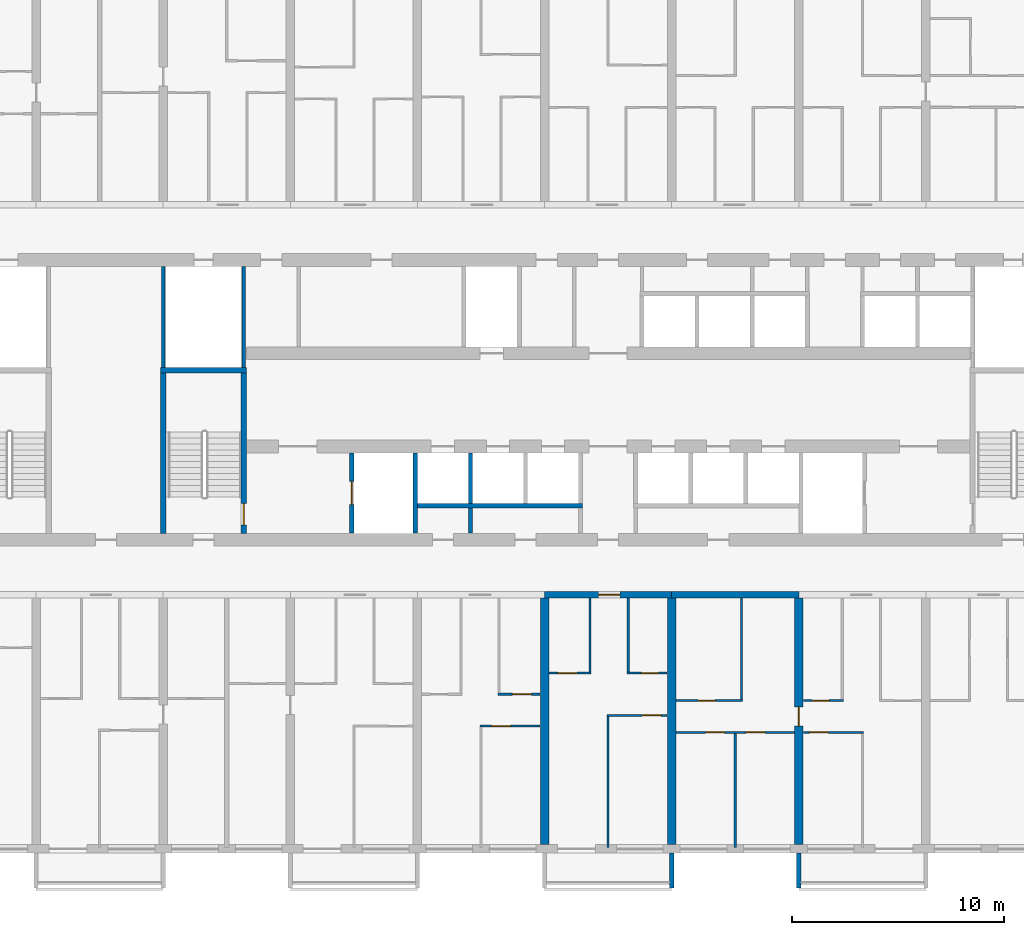
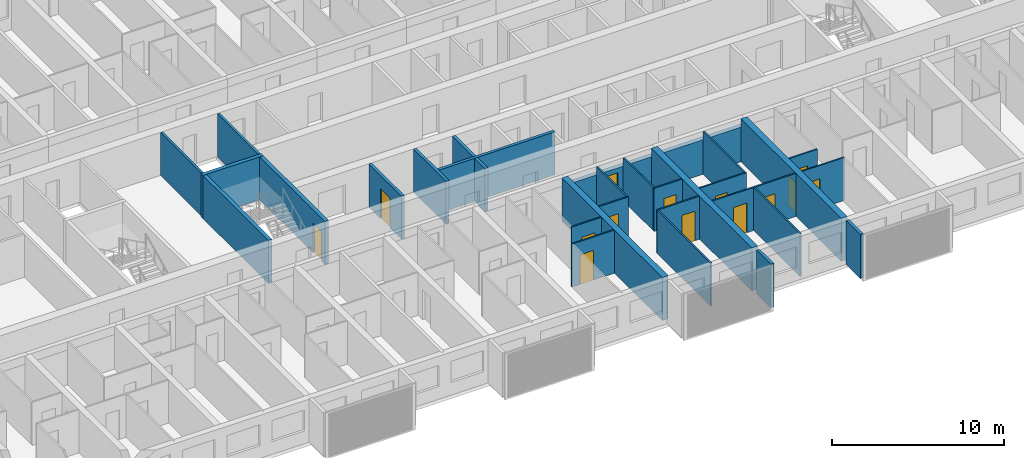
# One storey, part 6 of 23: 31 walls, 14 doors, 14 openings.
"""IFC4 building model written with IfcOpenShell, lengths in metres."""

from ifc_helpers import new_model, si_unit, direction, frame, frame_2d, origin, place, context, subcontext, project, spatial, polyline, rectangle, outline, extrude, source, transform, mapped, material, layer, layer_set, type_object, element, fill, save


model = new_model("IFC4")

# Units and contexts
model_context = context("Model", 3, precision=1e-05, world=origin(), true_north=direction((0.0, 1.0)))
body_context = subcontext(model_context, "Body", "Model", "MODEL_VIEW")
ifc_project = project(units=[si_unit("LENGTHUNIT", "METRE"), si_unit("AREAUNIT", "SQUARE_METRE"), si_unit("VOLUMEUNIT", "CUBIC_METRE"), si_unit("PLANEANGLEUNIT", "RADIAN"), si_unit("MASSUNIT", "GRAM", prefix="KILO")], contexts=[model_context])

# Site, building, storey
site_placement = place(None, origin())
site = spatial("IfcSite", under=ifc_project, at=site_placement, CompositionType="ELEMENT")
building_placement = place(site_placement, origin())
building = spatial("IfcBuilding", under=site, at=building_placement, Name="Poui Terraces", CompositionType="ELEMENT")
storey_placement = place(building_placement, frame((0.0, 0.0, 23.39990234375)))
storey = spatial("IfcBuildingStorey", under=building, at=storey_placement, Name="L05", CompositionType="ELEMENT", Elevation=23.39990234375)

# Wall, opening, door
ifc_material_1 = material(Name="Concrete 80 MPa", Category="concrete")
ifc_layer_1 = layer(ifc_material_1, 0.300048828125)
ifc_layer_set_1 = layer_set([ifc_layer_1], Name="Concrete 80 MPa")
wall_type_1 = type_object("IfcWallType", Name="CORRIDOR WALL 300 80MPa", PredefinedType="SHEAR", material=ifc_layer_set_1)
wall_1_placement = place(storey_placement, frame((48.0, 12.0, 0.0), z_axis=(0.0, 0.0, 1.0), x_axis=(1.0, 0.0, 0.0)))
wall_1 = element("IfcWall", 1, at=wall_1_placement, inside=storey, type_object=wall_type_1, Name="CORRIDOR WALL LINE B BAY 9", PredefinedType="SHEAR", context=body_context, shape_type="SweptSolid", body=[
    extrude(rectangle(XDim=6.0, YDim=0.300048828125, at=frame_2d((3.0, 0.0))), origin(), (0.0, 0.0, 1.0), 2.4501953125),
])
opening_1_placement = place(wall_1_placement, frame((2.550048828125, 0.0, 0.0)))
opening_1 = element("IfcOpeningElement", 2, at=opening_1_placement, cuts=wall_1, Name="Opening FD30S", PredefinedType="OPENING", context=body_context, shape_type="SweptSolid", body=[
    extrude(rectangle(XDim=1.0, YDim=2.10009765625, at=frame_2d((0.5, 1.050048828125))), frame((0.0, 0.16015625, 0.0), z_axis=(0.0, -1.0, 0.0), x_axis=(1.0, 0.0, 0.0)), (0.0, 0.0, 1.0), 0.320068359375),
])
ifc_material_2 = material(Name="Steel fire door", Category="steel")
door_type_1 = type_object("IfcDoorType", Name="FLAT ENTRANCE DOOR 1000 X 2100", OperationType="NOTDEFINED", PredefinedType="DOOR", material=ifc_material_2)
door_1_placement = place(opening_1_placement, frame((1.0, 0.0, 0.0), z_axis=(0.0, 0.0, 1.0), x_axis=(-1.0, 0.0, 0.0)))
door_1 = element("IfcDoor", 3, at=door_1_placement, inside=storey, type_object=door_type_1, Name="FLAT ENTRANCE DOOR 122", OperationType="SINGLE_SWING_LEFT", OverallHeight=2.10009765625, OverallWidth=1.0, PredefinedType="DOOR", context=body_context, shape_type="SweptSolid", body=[
    extrude(rectangle(XDim=1.0, YDim=2.10009765625, at=frame_2d((0.5, 1.050048828125))), frame((0.0, 0.02490234375, 0.0), z_axis=(0.0, -1.0, 0.0), x_axis=(1.0, 0.0, 0.0)), (0.0, 0.0, 1.0), 0.050048828125),
])
fill(opening_1, door_1)

# Walls
wall_2_placement = place(storey_placement, frame((54.0, 12.0, 0.0), z_axis=(0.0, 0.0, 1.0), x_axis=(1.0, 0.0, 0.0)))
element("IfcWall", 4, at=wall_2_placement, inside=storey, type_object=wall_type_1, Name="CORRIDOR WALL LINE B BAY 10", PredefinedType="SHEAR", context=body_context, shape_type="SweptSolid", body=[
    extrude(rectangle(XDim=6.0, YDim=0.300048828125, at=frame_2d((3.0, 0.0))), origin(), (0.0, 0.0, 1.0), 2.4501953125),
])
ifc_layer_2 = layer(ifc_material_1, 0.39990234375)
ifc_layer_set_2 = layer_set([ifc_layer_2], Name="Concrete 80 MPa")
wall_type_2 = type_object("IfcWallType", Name="CROSS WALL 400 80MPa", PredefinedType="SHEAR", material=ifc_layer_set_2)
for number, where, z_axis, x_axis, name in (
    (5, (48.0, 0.199951171875, 0.0), (0.0, 0.0, 1.0), (0.0, 1.0, 0.0), "CROSS WALL LINE 9 SOUTH"),
    (6, (54.0, 0.199951171875, 0.0), (0.0, 0.0, 1.0), (0.0, 1.0, 0.0), "CROSS WALL LINE 10 SOUTH"),
):
    element("IfcWall", number, at=place(storey_placement, frame(where, z_axis=z_axis, x_axis=x_axis)), inside=storey, type_object=wall_type_2, Name=name, PredefinedType="SHEAR", context=body_context, shape_type="SweptSolid", body=[
        extrude(rectangle(XDim=11.650146484375, YDim=0.39990234375, at=frame_2d((5.8251953125, 0.0))), origin(), (0.0, 0.0, 1.0), 3.050048828125),
    ])

# Wall, opening, door
wall_3_placement = place(storey_placement, frame((60.0, 0.199951171875, 0.0), z_axis=(0.0, 0.0, 1.0), x_axis=(0.0, 1.0, 0.0)))
wall_3 = element("IfcWall", 7, at=wall_3_placement, inside=storey, type_object=wall_type_2, Name="CROSS WALL LINE 11 SOUTH", PredefinedType="SHEAR", context=body_context, shape_type="SweptSolid", body=[
    extrude(rectangle(XDim=11.650146484375, YDim=0.39990234375, at=frame_2d((5.8251953125, 0.0))), origin(), (0.0, 0.0, 1.0), 3.050048828125),
])
opening_2_placement = place(wall_3_placement, frame((5.60009765625, 0.0, 0.0)))
opening_2 = element("IfcOpeningElement", 8, at=opening_2_placement, cuts=wall_3, Name="Opening D90", PredefinedType="OPENING", context=body_context, shape_type="SweptSolid", body=[
    extrude(rectangle(XDim=0.89990234375, YDim=2.10009765625, at=frame_2d((0.449951171875, 1.050048828125))), frame((0.0, 0.2099609375, 0.0), z_axis=(0.0, -1.0, 0.0), x_axis=(1.0, 0.0, 0.0)), (0.0, 0.0, 1.0), 0.419921875),
])
ifc_material_3 = material(Name="Solid core timber door", Category="wood")
door_type_2 = type_object("IfcDoorType", Name="INTERNAL DOOR 900 X 2100", OperationType="NOTDEFINED", PredefinedType="DOOR", material=ifc_material_3)
door_2_placement = place(opening_2_placement, frame((0.89990234375, 0.0, 0.0), z_axis=(0.0, 0.0, 1.0), x_axis=(-1.0, 0.0, 0.0)))
door_2 = element("IfcDoor", 9, at=door_2_placement, inside=storey, type_object=door_type_2, Name="INTERNAL DOOR 128", OperationType="SINGLE_SWING_LEFT", OverallHeight=2.10009765625, OverallWidth=0.89990234375, PredefinedType="DOOR", context=body_context, shape_type="SweptSolid", body=[
    extrude(rectangle(XDim=0.89990234375, YDim=2.10009765625, at=frame_2d((0.449951171875, 1.050048828125))), frame((0.0, 0.02490234375, 0.0), z_axis=(0.0, -1.0, 0.0), x_axis=(1.0, 0.0, 0.0)), (0.0, 0.0, 1.0), 0.050048828125),
])
fill(opening_2, door_2)

# Wall, openings, doors
ifc_material_4 = material(Name="Plasterboard partition")
ifc_layer_3 = layer(ifc_material_4, 0.10009765625)
ifc_layer_set_3 = layer_set([ifc_layer_3], Name="Plasterboard partition")
wall_type_3 = type_object("IfcWallType", Name="FLAT PARTITION 100", PredefinedType="PARTITIONING", material=ifc_layer_set_3)
wall_4_placement = place(storey_placement, frame((54.2099609375, 5.5, 0.0), z_axis=(0.0, 0.0, 1.0), x_axis=(1.0, 0.0, 0.0)))
wall_4 = element("IfcWall", 10, at=wall_4_placement, inside=storey, type_object=wall_type_3, Name="FLAT PARTITION 100", PredefinedType="PARTITIONING", context=body_context, shape_type="SweptSolid", body=[
    extrude(rectangle(XDim=5.580078125, YDim=0.10009765625, at=frame_2d((2.7900390625, 0.0))), origin(), (0.0, 0.0, 1.0), 3.050048828125),
])
opening_3_placement = place(wall_4_placement, frame((1.389892578125, 0.0, 0.0)))
opening_3 = element("IfcOpeningElement", 11, at=opening_3_placement, cuts=wall_4, Name="Opening D90", PredefinedType="OPENING", context=body_context, shape_type="SweptSolid", body=[
    extrude(rectangle(XDim=0.89990234375, YDim=2.10009765625, at=frame_2d((0.449951171875, 1.050048828125))), frame((0.0, 0.06005859375, 0.0), z_axis=(0.0, -1.0, 0.0), x_axis=(1.0, 0.0, 0.0)), (0.0, 0.0, 1.0), 0.1201171875),
])
opening_4_placement = place(wall_4_placement, frame((3.2900390625, 0.0, 0.0)))
opening_4 = element("IfcOpeningElement", 12, at=opening_4_placement, cuts=wall_4, Name="Opening D90", PredefinedType="OPENING", context=body_context, shape_type="SweptSolid", body=[
    extrude(rectangle(XDim=0.89990234375, YDim=2.10009765625, at=frame_2d((0.449951171875, 1.050048828125))), frame((0.0, 0.06005859375, 0.0), z_axis=(0.0, -1.0, 0.0), x_axis=(1.0, 0.0, 0.0)), (0.0, 0.0, 1.0), 0.1201171875),
])
door_3_placement = place(opening_3_placement, frame((0.89990234375, 0.0, 0.0), z_axis=(0.0, 0.0, 1.0), x_axis=(-1.0, 0.0, 0.0)))
door_3 = element("IfcDoor", 13, at=door_3_placement, inside=storey, type_object=door_type_2, Name="INTERNAL DOOR 126", OperationType="SINGLE_SWING_LEFT", OverallHeight=2.10009765625, OverallWidth=0.89990234375, PredefinedType="DOOR", context=body_context, shape_type="SweptSolid", body=[
    extrude(rectangle(XDim=0.89990234375, YDim=2.10009765625, at=frame_2d((0.449951171875, 1.050048828125))), frame((0.0, 0.02490234375, 0.0), z_axis=(0.0, -1.0, 0.0), x_axis=(1.0, 0.0, 0.0)), (0.0, 0.0, 1.0), 0.050048828125),
])
fill(opening_3, door_3)
door_4_placement = place(opening_4_placement, frame((0.89990234375, 0.0, 0.0), z_axis=(0.0, 0.0, 1.0), x_axis=(-1.0, 0.0, 0.0)))
door_4 = element("IfcDoor", 14, at=door_4_placement, inside=storey, type_object=door_type_2, Name="INTERNAL DOOR 127", OperationType="SINGLE_SWING_RIGHT", OverallHeight=2.10009765625, OverallWidth=0.89990234375, PredefinedType="DOOR", context=body_context, shape_type="SweptSolid", body=[
    extrude(rectangle(XDim=0.89990234375, YDim=2.10009765625, at=frame_2d((0.449951171875, 1.050048828125))), frame((0.0, 0.02490234375, 0.0), z_axis=(0.0, -1.0, 0.0), x_axis=(1.0, 0.0, 0.0)), (0.0, 0.0, 1.0), 0.050048828125),
])
fill(opening_4, door_4)

# Wall, opening, door
wall_5_placement = place(storey_placement, frame((60.2099609375, 5.5, 0.0), z_axis=(0.0, 0.0, 1.0), x_axis=(1.0, 0.0, 0.0)))
wall_5 = element("IfcWall", 15, at=wall_5_placement, inside=storey, type_object=wall_type_3, Name="FLAT PARTITION 100", PredefinedType="PARTITIONING", context=body_context, shape_type="SweptSolid", body=[
    extrude(rectangle(XDim=2.840087890625, YDim=0.10009765625, at=frame_2d((1.419921875, 0.0))), origin(), (0.0, 0.0, 1.0), 3.050048828125),
])
opening_5_placement = place(wall_5_placement, frame((0.2900390625, 0.0, 0.0)))
opening_5 = element("IfcOpeningElement", 16, at=opening_5_placement, cuts=wall_5, Name="Opening D90", PredefinedType="OPENING", context=body_context, shape_type="SweptSolid", body=[
    extrude(rectangle(XDim=0.89990234375, YDim=2.10009765625, at=frame_2d((0.449951171875, 1.050048828125))), frame((0.0, 0.06005859375, 0.0), z_axis=(0.0, -1.0, 0.0), x_axis=(1.0, 0.0, 0.0)), (0.0, 0.0, 1.0), 0.1201171875),
])
door_5_placement = place(opening_5_placement, origin())
door_5 = element("IfcDoor", 17, at=door_5_placement, inside=storey, type_object=door_type_2, Name="INTERNAL DOOR 129", OperationType="SINGLE_SWING_RIGHT", OverallHeight=2.10009765625, OverallWidth=0.89990234375, PredefinedType="DOOR", context=body_context, shape_type="SweptSolid", body=[
    extrude(rectangle(XDim=0.89990234375, YDim=2.10009765625, at=frame_2d((0.449951171875, 1.050048828125))), frame((0.0, 0.02490234375, 0.0), z_axis=(0.0, -1.0, 0.0), x_axis=(1.0, 0.0, 0.0)), (0.0, 0.0, 1.0), 0.050048828125),
])
fill(opening_5, door_5)

wall_6_placement = place(storey_placement, frame((44.949951171875, 5.800048828125, 0.0), z_axis=(0.0, 0.0, 1.0), x_axis=(1.0, 0.0, 0.0)))
wall_6 = element("IfcWall", 18, at=wall_6_placement, inside=storey, type_object=wall_type_3, Name="FLAT PARTITION 100", PredefinedType="PARTITIONING", context=body_context, shape_type="SweptSolid", body=[
    extrude(rectangle(XDim=2.840087890625, YDim=0.10009765625, at=frame_2d((1.419921875, 0.0))), origin(), (0.0, 0.0, 1.0), 3.050048828125),
])
opening_6_placement = place(wall_6_placement, frame((0.550048828125, 0.0, 0.0)))
opening_6 = element("IfcOpeningElement", 19, at=opening_6_placement, cuts=wall_6, Name="Opening D90", PredefinedType="OPENING", context=body_context, shape_type="SweptSolid", body=[
    extrude(rectangle(XDim=0.89990234375, YDim=2.10009765625, at=frame_2d((0.449951171875, 1.050048828125))), frame((0.0, 0.06005859375, 0.0), z_axis=(0.0, -1.0, 0.0), x_axis=(1.0, 0.0, 0.0)), (0.0, 0.0, 1.0), 0.1201171875),
])
door_6_placement = place(opening_6_placement, origin())
door_6 = element("IfcDoor", 20, at=door_6_placement, inside=storey, type_object=door_type_2, Name="INTERNAL DOOR 119", OperationType="SINGLE_SWING_RIGHT", OverallHeight=2.10009765625, OverallWidth=0.89990234375, PredefinedType="DOOR", context=body_context, shape_type="SweptSolid", body=[
    extrude(rectangle(XDim=0.89990234375, YDim=2.10009765625, at=frame_2d((0.449951171875, 1.050048828125))), frame((0.0, 0.02490234375, 0.0), z_axis=(0.0, -1.0, 0.0), x_axis=(1.0, 0.0, 0.0)), (0.0, 0.0, 1.0), 0.050048828125),
])
fill(opening_6, door_6)

wall_7_placement = place(storey_placement, frame((50.949951171875, 6.300048828125, 0.0), z_axis=(0.0, 0.0, 1.0), x_axis=(1.0, 0.0, 0.0)))
wall_7 = element("IfcWall", 21, at=wall_7_placement, inside=storey, type_object=wall_type_3, Name="FLAT PARTITION 100", PredefinedType="PARTITIONING", context=body_context, shape_type="SweptSolid", body=[
    extrude(rectangle(XDim=2.840087890625, YDim=0.10009765625, at=frame_2d((1.419921875, 0.0))), origin(), (0.0, 0.0, 1.0), 3.050048828125),
])
opening_7_placement = place(wall_7_placement, frame((1.64990234375, 0.0, 0.0)))
opening_7 = element("IfcOpeningElement", 22, at=opening_7_placement, cuts=wall_7, Name="Opening D90", PredefinedType="OPENING", context=body_context, shape_type="SweptSolid", body=[
    extrude(rectangle(XDim=0.89990234375, YDim=2.10009765625, at=frame_2d((0.449951171875, 1.050048828125))), frame((0.0, 0.06005859375, 0.0), z_axis=(0.0, -1.0, 0.0), x_axis=(1.0, 0.0, 0.0)), (0.0, 0.0, 1.0), 0.1201171875),
])
door_7_placement = place(opening_7_placement, origin())
door_7 = element("IfcDoor", 23, at=door_7_placement, inside=storey, type_object=door_type_2, Name="INTERNAL DOOR 124", OperationType="SINGLE_SWING_LEFT", OverallHeight=2.10009765625, OverallWidth=0.89990234375, PredefinedType="DOOR", context=body_context, shape_type="SweptSolid", body=[
    extrude(rectangle(XDim=0.89990234375, YDim=2.10009765625, at=frame_2d((0.449951171875, 1.050048828125))), frame((0.0, 0.02490234375, 0.0), z_axis=(0.0, -1.0, 0.0), x_axis=(1.0, 0.0, 0.0)), (0.0, 0.0, 1.0), 0.050048828125),
])
fill(opening_7, door_7)

wall_8_placement = place(storey_placement, frame((54.2099609375, 7.0, 0.0), z_axis=(0.0, 0.0, 1.0), x_axis=(1.0, 0.0, 0.0)))
wall_8 = element("IfcWall", 24, at=wall_8_placement, inside=storey, type_object=wall_type_3, Name="FLAT PARTITION 100", PredefinedType="PARTITIONING", context=body_context, shape_type="SweptSolid", body=[
    extrude(rectangle(XDim=3.14013671875, YDim=0.10009765625, at=frame_2d((1.570068359375, 0.0))), origin(), (0.0, 0.0, 1.0), 3.050048828125),
])
opening_8_placement = place(wall_8_placement, frame((1.0400390625, 0.0, 0.0)))
opening_8 = element("IfcOpeningElement", 25, at=opening_8_placement, cuts=wall_8, Name="Opening D80", PredefinedType="OPENING", context=body_context, shape_type="SweptSolid", body=[
    extrude(rectangle(XDim=0.800048828125, YDim=2.10009765625, at=frame_2d((0.39990234375, 1.050048828125))), frame((0.0, 0.06005859375, 0.0), z_axis=(0.0, -1.0, 0.0), x_axis=(1.0, 0.0, 0.0)), (0.0, 0.0, 1.0), 0.1201171875),
])
door_type_3 = type_object("IfcDoorType", Name="BATHROOM, LAUNDRY AND STORE DOOR 800 X 2100", OperationType="NOTDEFINED", PredefinedType="DOOR", material=ifc_material_3)
door_8_placement = place(opening_8_placement, frame((0.800048828125, 0.0, 0.0), z_axis=(0.0, 0.0, 1.0), x_axis=(-1.0, 0.0, 0.0)))
door_8 = element("IfcDoor", 26, at=door_8_placement, inside=storey, type_object=door_type_3, Name="BATHROOM, LAUNDRY AND STORE DOOR 125", OperationType="SINGLE_SWING_RIGHT", OverallHeight=2.10009765625, OverallWidth=0.800048828125, PredefinedType="DOOR", context=body_context, shape_type="SweptSolid", body=[
    extrude(rectangle(XDim=0.800048828125, YDim=2.10009765625, at=frame_2d((0.39990234375, 1.050048828125))), frame((0.0, 0.02490234375, 0.0), z_axis=(0.0, -1.0, 0.0), x_axis=(1.0, 0.0, 0.0)), (0.0, 0.0, 1.0), 0.050048828125),
])
fill(opening_8, door_8)

wall_9_placement = place(storey_placement, frame((60.2099609375, 7.0, 0.0), z_axis=(0.0, 0.0, 1.0), x_axis=(1.0, 0.0, 0.0)))
wall_9 = element("IfcWall", 27, at=wall_9_placement, inside=storey, type_object=wall_type_3, Name="FLAT PARTITION 100", PredefinedType="PARTITIONING", context=body_context, shape_type="SweptSolid", body=[
    extrude(rectangle(XDim=1.89013671875, YDim=0.10009765625, at=frame_2d((0.945068359375, 0.0))), origin(), (0.0, 0.0, 1.0), 3.050048828125),
])
opening_9_placement = place(wall_9_placement, frame((0.4150390625, 0.0, 0.0)))
opening_9 = element("IfcOpeningElement", 28, at=opening_9_placement, cuts=wall_9, Name="Opening D80", PredefinedType="OPENING", context=body_context, shape_type="SweptSolid", body=[
    extrude(rectangle(XDim=0.800048828125, YDim=2.10009765625, at=frame_2d((0.39990234375, 1.050048828125))), frame((0.0, 0.06005859375, 0.0), z_axis=(0.0, -1.0, 0.0), x_axis=(1.0, 0.0, 0.0)), (0.0, 0.0, 1.0), 0.1201171875),
])
door_9_placement = place(opening_9_placement, origin())
door_9 = element("IfcDoor", 29, at=door_9_placement, inside=storey, type_object=door_type_3, Name="BATHROOM, LAUNDRY AND STORE DOOR 130", OperationType="SINGLE_SWING_LEFT", OverallHeight=2.10009765625, OverallWidth=0.800048828125, PredefinedType="DOOR", context=body_context, shape_type="SweptSolid", body=[
    extrude(rectangle(XDim=0.800048828125, YDim=2.10009765625, at=frame_2d((0.39990234375, 1.050048828125))), frame((0.0, 0.02490234375, 0.0), z_axis=(0.0, -1.0, 0.0), x_axis=(1.0, 0.0, 0.0)), (0.0, 0.0, 1.0), 0.050048828125),
])
fill(opening_9, door_9)

wall_10_placement = place(storey_placement, frame((45.800048828125, 7.300048828125, 0.0), z_axis=(0.0, 0.0, 1.0), x_axis=(1.0, 0.0, 0.0)))
wall_10 = element("IfcWall", 30, at=wall_10_placement, inside=storey, type_object=wall_type_3, Name="FLAT PARTITION 100", PredefinedType="PARTITIONING", context=body_context, shape_type="SweptSolid", body=[
    extrude(rectangle(XDim=1.989990234375, YDim=0.10009765625, at=frame_2d((0.9951171875, 0.0))), origin(), (0.0, 0.0, 1.0), 3.050048828125),
])
opening_10_placement = place(wall_10_placement, frame((0.675048828125, 0.0, 0.0)))
opening_10 = element("IfcOpeningElement", 31, at=opening_10_placement, cuts=wall_10, Name="Opening D90", PredefinedType="OPENING", context=body_context, shape_type="SweptSolid", body=[
    extrude(rectangle(XDim=0.89990234375, YDim=2.10009765625, at=frame_2d((0.449951171875, 1.050048828125))), frame((0.0, 0.06005859375, 0.0), z_axis=(0.0, -1.0, 0.0), x_axis=(1.0, 0.0, 0.0)), (0.0, 0.0, 1.0), 0.1201171875),
])
door_10_placement = place(opening_10_placement, origin())
door_10 = element("IfcDoor", 32, at=door_10_placement, inside=storey, type_object=door_type_2, Name="INTERNAL DOOR 120", OperationType="SINGLE_SWING_LEFT", OverallHeight=2.10009765625, OverallWidth=0.89990234375, PredefinedType="DOOR", context=body_context, shape_type="SweptSolid", body=[
    extrude(rectangle(XDim=0.89990234375, YDim=2.10009765625, at=frame_2d((0.449951171875, 1.050048828125))), frame((0.0, 0.02490234375, 0.0), z_axis=(0.0, -1.0, 0.0), x_axis=(1.0, 0.0, 0.0)), (0.0, 0.0, 1.0), 0.050048828125),
])
fill(opening_10, door_10)

wall_11_placement = place(storey_placement, frame((48.2099609375, 8.300048828125, 0.0), z_axis=(0.0, 0.0, 1.0), x_axis=(1.0, 0.0, 0.0)))
wall_11 = element("IfcWall", 33, at=wall_11_placement, inside=storey, type_object=wall_type_3, Name="FLAT PARTITION 100", PredefinedType="PARTITIONING", context=body_context, shape_type="SweptSolid", body=[
    extrude(rectangle(XDim=1.989990234375, YDim=0.10009765625, at=frame_2d((0.9951171875, 0.0))), origin(), (0.0, 0.0, 1.0), 3.050048828125),
])
opening_11_placement = place(wall_11_placement, frame((0.4150390625, 0.0, 0.0)))
opening_11 = element("IfcOpeningElement", 34, at=opening_11_placement, cuts=wall_11, Name="Opening D90", PredefinedType="OPENING", context=body_context, shape_type="SweptSolid", body=[
    extrude(rectangle(XDim=0.89990234375, YDim=2.10009765625, at=frame_2d((0.449951171875, 1.050048828125))), frame((0.0, 0.06005859375, 0.0), z_axis=(0.0, -1.0, 0.0), x_axis=(1.0, 0.0, 0.0)), (0.0, 0.0, 1.0), 0.1201171875),
])
door_11_placement = place(opening_11_placement, origin())
door_11 = element("IfcDoor", 35, at=door_11_placement, inside=storey, type_object=door_type_2, Name="INTERNAL DOOR 121", OperationType="SINGLE_SWING_LEFT", OverallHeight=2.10009765625, OverallWidth=0.89990234375, PredefinedType="DOOR", context=body_context, shape_type="SweptSolid", body=[
    extrude(rectangle(XDim=0.89990234375, YDim=2.10009765625, at=frame_2d((0.449951171875, 1.050048828125))), frame((0.0, 0.02490234375, 0.0), z_axis=(0.0, -1.0, 0.0), x_axis=(1.0, 0.0, 0.0)), (0.0, 0.0, 1.0), 0.050048828125),
])
fill(opening_11, door_11)

wall_12_placement = place(storey_placement, frame((51.89990234375, 8.300048828125, 0.0), z_axis=(0.0, 0.0, 1.0), x_axis=(1.0, 0.0, 0.0)))
wall_12 = element("IfcWall", 36, at=wall_12_placement, inside=storey, type_object=wall_type_3, Name="FLAT PARTITION 100", PredefinedType="PARTITIONING", context=body_context, shape_type="SweptSolid", body=[
    extrude(rectangle(XDim=1.89013671875, YDim=0.10009765625, at=frame_2d((0.945068359375, 0.0))), origin(), (0.0, 0.0, 1.0), 3.050048828125),
])
opening_12_placement = place(wall_12_placement, frame((0.675048828125, 0.0, 0.0)))
opening_12 = element("IfcOpeningElement", 37, at=opening_12_placement, cuts=wall_12, Name="Opening D80", PredefinedType="OPENING", context=body_context, shape_type="SweptSolid", body=[
    extrude(rectangle(XDim=0.800048828125, YDim=2.10009765625, at=frame_2d((0.39990234375, 1.050048828125))), frame((0.0, 0.06005859375, 0.0), z_axis=(0.0, -1.0, 0.0), x_axis=(1.0, 0.0, 0.0)), (0.0, 0.0, 1.0), 0.1201171875),
])
door_12_placement = place(opening_12_placement, origin())
door_12 = element("IfcDoor", 38, at=door_12_placement, inside=storey, type_object=door_type_3, Name="BATHROOM, LAUNDRY AND STORE DOOR 123", OperationType="SINGLE_SWING_RIGHT", OverallHeight=2.10009765625, OverallWidth=0.800048828125, PredefinedType="DOOR", context=body_context, shape_type="SweptSolid", body=[
    extrude(rectangle(XDim=0.800048828125, YDim=2.10009765625, at=frame_2d((0.39990234375, 1.050048828125))), frame((0.0, 0.02490234375, 0.0), z_axis=(0.0, -1.0, 0.0), x_axis=(1.0, 0.0, 0.0)), (0.0, 0.0, 1.0), 0.050048828125),
])
fill(opening_12, door_12)

# Walls
wall_13_placement = place(storey_placement, frame((50.14990234375, 8.35009765625, 0.0), z_axis=(0.0, 0.0, 1.0), x_axis=(0.0, 1.0, 0.0)))
element("IfcWall", 39, at=wall_13_placement, inside=storey, type_object=wall_type_3, Name="FLAT PARTITION 100", PredefinedType="PARTITIONING", context=body_context, shape_type="SweptSolid", body=[
    extrude(rectangle(XDim=3.489990234375, YDim=0.10009765625, at=frame_2d((1.7451171875, 0.0))), origin(), (0.0, 0.0, 1.0), 3.050048828125),
])
wall_14_placement = place(storey_placement, frame((51.0, 0.06005859375, 0.0), z_axis=(0.0, 0.0, 1.0), x_axis=(0.0, 1.0, 0.0)))
element("IfcWall", 40, at=wall_14_placement, inside=storey, type_object=wall_type_3, Name="FLAT PARTITION 100", PredefinedType="PARTITIONING", context=body_context, shape_type="SweptSolid", body=[
    extrude(rectangle(XDim=6.18994140625, YDim=0.10009765625, at=frame_2d((3.094970703125, 0.0))), origin(), (0.0, 0.0, 1.0), 3.050048828125),
])
wall_15_placement = place(storey_placement, frame((51.949951171875, 8.35009765625, 0.0), z_axis=(0.0, 0.0, 1.0), x_axis=(0.0, 1.0, 0.0)))
element("IfcWall", 41, at=wall_15_placement, inside=storey, type_object=wall_type_3, Name="FLAT PARTITION 100", PredefinedType="PARTITIONING", context=body_context, shape_type="SweptSolid", body=[
    extrude(rectangle(XDim=3.489990234375, YDim=0.10009765625, at=frame_2d((1.7451171875, 0.0))), origin(), (0.0, 0.0, 1.0), 3.050048828125),
])
wall_16_placement = place(storey_placement, frame((57.0, 0.06005859375, 0.0), z_axis=(0.0, 0.0, 1.0), x_axis=(0.0, 1.0, 0.0)))
element("IfcWall", 42, at=wall_16_placement, inside=storey, type_object=wall_type_3, Name="FLAT PARTITION 100", PredefinedType="PARTITIONING", context=body_context, shape_type="SweptSolid", body=[
    extrude(rectangle(XDim=5.389892578125, YDim=0.10009765625, at=frame_2d((2.69482421875, 0.0))), origin(), (0.0, 0.0, 1.0), 3.050048828125),
])
wall_17_placement = place(storey_placement, frame((57.300048828125, 7.050048828125, 0.0), z_axis=(0.0, 0.0, 1.0), x_axis=(0.0, 1.0, 0.0)))
element("IfcWall", 43, at=wall_17_placement, inside=storey, type_object=wall_type_3, Name="FLAT PARTITION 100", PredefinedType="PARTITIONING", context=body_context, shape_type="SweptSolid", body=[
    extrude(rectangle(XDim=4.7900390625, YDim=0.10009765625, at=frame_2d((2.39501953125, 0.0))), origin(), (0.0, 0.0, 1.0), 3.050048828125),
])
ifc_material_5 = material(Name="Fire-rated masonry wall", Category="masonry")
ifc_layer_4 = layer(ifc_material_5, 0.199951171875)
ifc_layer_set_4 = layer_set([ifc_layer_4], Name="Fire-rated masonry wall")
wall_type_4 = type_object("IfcWallType", Name="PLANT ROOM WALL 200", PredefinedType="PARTITIONING", material=ifc_layer_set_4)
wall_18_placement = place(storey_placement, frame((44.5, 14.909912109375, 0.0), z_axis=(0.0, 0.0, 1.0), x_axis=(0.0, 1.0, 0.0)))
element("IfcWall", 44, at=wall_18_placement, inside=storey, type_object=wall_type_4, Name="PLANT ROOM WALL 200", PredefinedType="PARTITIONING", context=body_context, shape_type="SweptSolid", body=[
    extrude(rectangle(XDim=1.190185546875, YDim=0.199951171875, at=frame_2d((0.59521484375, 0.0))), origin(), (0.0, 0.0, 1.0), 3.050048828125),
])
ifc_material_6 = material(Name="Fire-rated plasterboard riser wall")
ifc_layer_5 = layer(ifc_material_6, 0.14990234375)
ifc_layer_set_5 = layer_set([ifc_layer_5], Name="Fire-rated plasterboard riser wall")
wall_type_5 = type_object("IfcWallType", Name="RISER WALL 150", PredefinedType="PARTITIONING", material=ifc_layer_set_5)
for number, where, z_axis, x_axis, name in (
    (45, (30.0, 22.735107421875, 0.0), (0.0, 0.0, 1.0), (0.0, 1.0, 0.0), "RISER WALL 150"),
    (46, (33.800048828125, 22.735107421875, 0.0), (0.0, 0.0, 1.0), (0.0, 1.0, 0.0), "RISER WALL 150"),
):
    element("IfcWall", number, at=place(storey_placement, frame(where, z_axis=z_axis, x_axis=x_axis)), inside=storey, type_object=wall_type_5, Name=name, PredefinedType="PARTITIONING", context=body_context, shape_type="SweptSolid", body=[
        extrude(rectangle(XDim=4.7548828125, YDim=0.14990234375, at=frame_2d((2.37744140625, 0.0))), origin(), (0.0, 0.0, 1.0), 3.050048828125),
    ])
ifc_material_7 = material(Name="Fire-rated masonry shaft wall", Category="masonry")
ifc_layer_6 = layer(ifc_material_7, 0.199951171875)
ifc_layer_set_6 = layer_set([ifc_layer_6], Name="Fire-rated masonry shaft wall")
wall_type_6 = type_object("IfcWallType", Name="SHAFT WALL 200", PredefinedType="PARTITIONING", material=ifc_layer_set_6)
wall_19_placement = place(storey_placement, frame((42.0, 16.199951171875, 0.0), z_axis=(0.0, 0.0, 1.0), x_axis=(1.0, 0.0, 0.0)))
element("IfcWall", 47, at=wall_19_placement, inside=storey, type_object=wall_type_6, Name="SHAFT WALL 200", PredefinedType="PARTITIONING", context=body_context, shape_type="SweptSolid", body=[
    extrude(rectangle(XDim=7.800048828125, YDim=0.199951171875, at=frame_2d((3.89990234375, 0.0))), origin(), (0.0, 0.0, 1.0), 3.050048828125),
])

# Wall, opening, door
wall_20_placement = place(storey_placement, frame((38.89990234375, 14.909912109375, 0.0), z_axis=(0.0, 0.0, 1.0), x_axis=(0.0, 1.0, 0.0)))
wall_20 = element("IfcWall", 48, at=wall_20_placement, inside=storey, type_object=wall_type_6, Name="SHAFT WALL 200", PredefinedType="PARTITIONING", context=body_context, shape_type="SweptSolid", body=[
    extrude(rectangle(XDim=3.780029296875, YDim=0.199951171875, at=frame_2d((1.89013671875, 0.0))), origin(), (0.0, 0.0, 1.0), 3.050048828125),
])
opening_13_placement = place(wall_20_placement, frame((1.340087890625, 0.0, 0.0)))
opening_13 = element("IfcOpeningElement", 49, at=opening_13_placement, cuts=wall_20, Name="Opening LD", PredefinedType="OPENING", context=body_context, shape_type="SweptSolid", body=[
    extrude(rectangle(XDim=1.10009765625, YDim=2.10009765625, at=frame_2d((0.550048828125, 1.050048828125))), frame((0.0, 0.10986328125, 0.0), z_axis=(0.0, -1.0, 0.0), x_axis=(1.0, 0.0, 0.0)), (0.0, 0.0, 1.0), 0.219970703125),
])
ifc_material_8 = material(Name="Stainless steel sliding door", Category="steel")
door_type_4 = type_object("IfcDoorType", Name="LIFT LANDING DOOR 1100 X 2100", OperationType="DOUBLE_DOOR_SLIDING", PredefinedType="DOOR", material=ifc_material_8)
door_13_placement = place(opening_13_placement, origin())
door_13 = element("IfcDoor", 50, at=door_13_placement, inside=storey, type_object=door_type_4, Name="LANDING DOOR", OperationType="DOUBLE_DOOR_SLIDING", OverallHeight=2.10009765625, OverallWidth=1.10009765625, PredefinedType="DOOR", context=body_context, shape_type="SweptSolid", body=[
    extrude(rectangle(XDim=1.10009765625, YDim=2.10009765625, at=frame_2d((0.550048828125, 1.050048828125))), frame((0.0, 0.02490234375, 0.0), z_axis=(0.0, -1.0, 0.0), x_axis=(1.0, 0.0, 0.0)), (0.0, 0.0, 1.0), 0.050048828125),
])
fill(opening_13, door_13)

# Walls
wall_21_placement = place(storey_placement, frame((41.89990234375, 14.909912109375, 0.0), z_axis=(0.0, 0.0, 1.0), x_axis=(0.0, 1.0, 0.0)))
element("IfcWall", 51, at=wall_21_placement, inside=storey, type_object=wall_type_6, Name="SHAFT WALL 200", PredefinedType="PARTITIONING", context=body_context, shape_type="SweptSolid", body=[
    extrude(rectangle(XDim=3.780029296875, YDim=0.199951171875, at=frame_2d((1.89013671875, 0.0))), origin(), (0.0, 0.0, 1.0), 3.050048828125),
])
wall_22_placement = place(storey_placement, frame((44.5, 16.300048828125, 0.0), z_axis=(0.0, 0.0, 1.0), x_axis=(0.0, 1.0, 0.0)))
element("IfcWall", 52, at=wall_22_placement, inside=storey, type_object=wall_type_6, Name="SHAFT WALL 200", PredefinedType="PARTITIONING", context=body_context, shape_type="SweptSolid", body=[
    extrude(rectangle(XDim=2.389892578125, YDim=0.199951171875, at=frame_2d((1.19482421875, 0.0))), origin(), (0.0, 0.0, 1.0), 3.050048828125),
])
ifc_layer_7 = layer(ifc_material_1, 0.25)
ifc_layer_set_7 = layer_set([ifc_layer_7], Name="Concrete 80 MPa")
wall_type_7 = type_object("IfcWallType", Name="STAIR CORE WALL 250 80 MPA", PredefinedType="SOLIDWALL", material=ifc_layer_set_7)
wall_23_placement = place(storey_placement, frame((30.0, 14.89990234375, 0.0), z_axis=(0.0, 0.0, 1.0), x_axis=(0.0, 1.0, 0.0)))
element("IfcWall", 53, at=wall_23_placement, inside=storey, type_object=wall_type_7, Name="STAIR CORE WALL", PredefinedType="SOLIDWALL", context=body_context, shape_type="SweptSolid", body=[
    extrude(rectangle(XDim=7.5751953125, YDim=0.25, at=frame_2d((3.78759765625, 0.0))), origin(), (0.0, 0.0, 1.0), 3.050048828125),
])

# Wall, opening, door
wall_24_placement = place(storey_placement, frame((33.800048828125, 14.89990234375, 0.0), z_axis=(0.0, 0.0, 1.0), x_axis=(0.0, 1.0, 0.0)))
wall_24 = element("IfcWall", 54, at=wall_24_placement, inside=storey, type_object=wall_type_7, Name="STAIR CORE WALL", PredefinedType="SOLIDWALL", context=body_context, shape_type="SweptSolid", body=[
    extrude(rectangle(XDim=7.5751953125, YDim=0.25, at=frame_2d((3.78759765625, 0.0))), origin(), (0.0, 0.0, 1.0), 3.050048828125),
])
opening_14_placement = place(wall_24_placement, frame((0.39990234375, 0.0, 0.0)))
opening_14 = element("IfcOpeningElement", 55, at=opening_14_placement, cuts=wall_24, Name="Opening FD60S", PredefinedType="OPENING", context=body_context, shape_type="SweptSolid", body=[
    extrude(rectangle(XDim=1.0, YDim=2.10009765625, at=frame_2d((0.5, 1.050048828125))), frame((0.0, 0.135009765625, 0.0), z_axis=(0.0, -1.0, 0.0), x_axis=(1.0, 0.0, 0.0)), (0.0, 0.0, 1.0), 0.27001953125),
])
door_type_5 = type_object("IfcDoorType", Name="STAIR DOOR 1000 X 2100", OperationType="NOTDEFINED", PredefinedType="DOOR", material=ifc_material_2)
door_14_placement = place(opening_14_placement, origin())
door_14 = element("IfcDoor", 56, at=door_14_placement, inside=storey, type_object=door_type_5, Name="STAIR DOOR 154", OperationType="SINGLE_SWING_LEFT", OverallHeight=2.10009765625, OverallWidth=1.0, PredefinedType="DOOR", context=body_context, shape_type="SweptSolid", body=[
    extrude(rectangle(XDim=1.0, YDim=2.10009765625, at=frame_2d((0.5, 1.050048828125))), frame((0.0, 0.02490234375, 0.0), z_axis=(0.0, -1.0, 0.0), x_axis=(1.0, 0.0, 0.0)), (0.0, 0.0, 1.0), 0.050048828125),
])
fill(opening_14, door_14)

# Walls
wall_25_placement = place(storey_placement, frame((29.875, 22.60009765625, 0.0), z_axis=(0.0, 0.0, 1.0), x_axis=(1.0, 0.0, 0.0)))
element("IfcWall", 57, at=wall_25_placement, inside=storey, type_object=wall_type_7, Name="STAIR CORE WALL", PredefinedType="SOLIDWALL", context=body_context, shape_type="SweptSolid", body=[
    extrude(rectangle(XDim=4.050048828125, YDim=0.25, at=frame_2d((2.02490234375, 0.0))), origin(), (0.0, 0.0, 1.0), 3.050048828125),
])
ifc_material_9 = material(Name="Precast concrete 40 MPa", Category="concrete")
ifc_layer_8 = layer(ifc_material_9, 0.199951171875)
ifc_layer_set_8 = layer_set([ifc_layer_8], Name="Precast concrete 40 MPa")
wall_type_8 = type_object("IfcWallType", Name="REAR FIN 200", PredefinedType="STANDARD", material=ifc_layer_set_8)
shared_shape = source(origin(), body_context, "Body", "SweptSolid", [
    extrude(outline(polyline([(0.0, 0.0), (0.2001953125, 0.0), (0.2001953125, 1.650146484375), (0.0, 1.650146484375), (0.0, 0.0)])), origin(), (0.0, 0.0, 1.0), 3.10009765625),
])
for number, where, name in (
    (58, (53.89990234375, -1.85009765625, 0.0), "REAR FIN"),
    (59, (59.89990234375, -1.85009765625, 0.0), "REAR FIN"),
):
    element("IfcWall", number, at=place(storey_placement, frame(where)), inside=storey, type_object=wall_type_8, Name=name, PredefinedType="STANDARD", context=body_context, shape_type="MappedRepresentation", body=[
        mapped(shared_shape, transform((0.0, 0.0, 0.0))),
    ])

save(model, "model.ifc")
